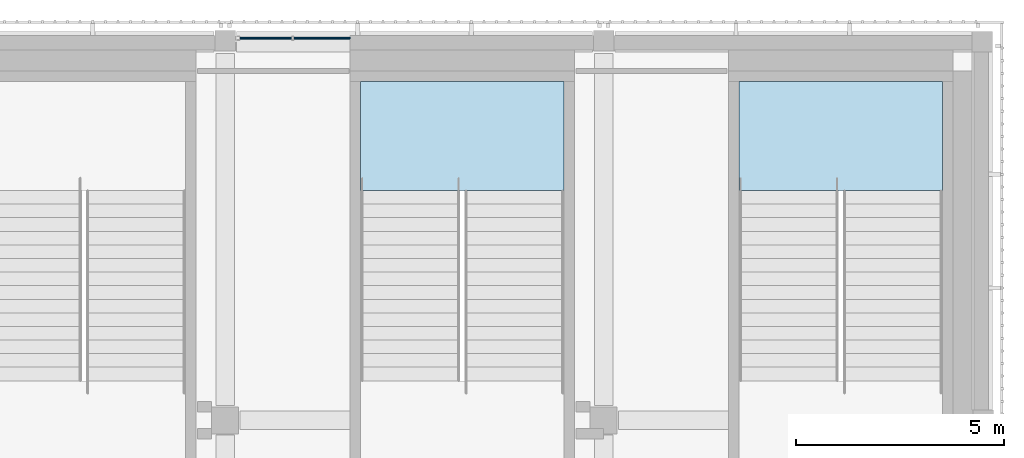
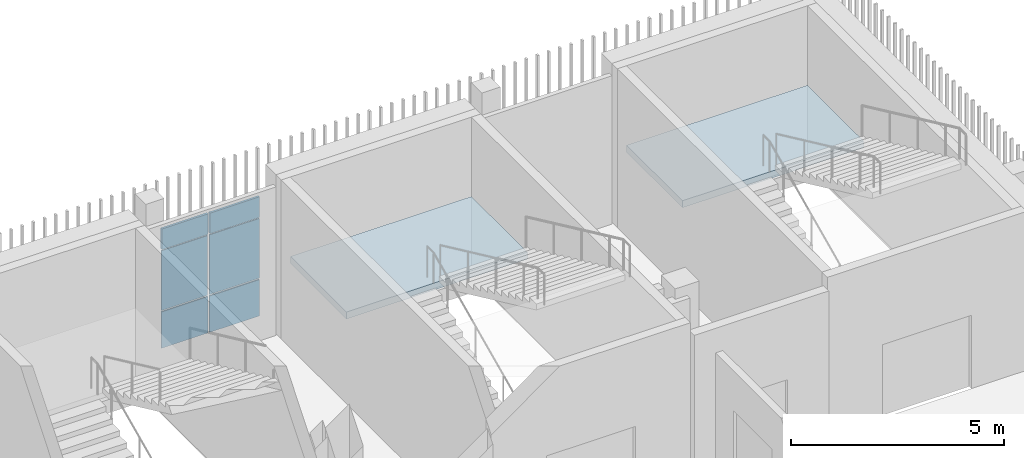
# One storey, part 52 of 104: 6 plates, 2 slabs, 3 elements without a shape of their own.
"""IFC4 building model written with IfcOpenShell, lengths in metres."""

from ifc_helpers import new_model, si_unit, direction, frame, origin, origin_2d, place, context, subcontext, project, spatial, polyline, rectangle, outline, extrude, material, layer, layer_set, type_object, element, aggregate, save


model = new_model("IFC4")

# Units and contexts
model_context = context("Model", 3, precision=1e-05, world=origin(), true_north=direction((0.0, 1.0)))
body_context = subcontext(model_context, "Body", "Model", "MODEL_VIEW")
ifc_project = project(units=[si_unit("LENGTHUNIT", "METRE"), si_unit("AREAUNIT", "SQUARE_METRE"), si_unit("VOLUMEUNIT", "CUBIC_METRE"), si_unit("PLANEANGLEUNIT", "RADIAN"), si_unit("MASSUNIT", "GRAM", prefix="KILO")], contexts=[model_context])

# Site, building, storey
site_placement = place(None, origin())
site = spatial("IfcSite", under=ifc_project, at=site_placement, CompositionType="ELEMENT")
building_placement = place(site_placement, origin())
building = spatial("IfcBuilding", under=site, at=building_placement, Name="Shirokan Park Arena", CompositionType="ELEMENT")
storey_placement = place(building_placement, frame((0.0, 0.0, 10.919921875)))
storey = spatial("IfcBuildingStorey", under=building, at=storey_placement, Name="L02", CompositionType="ELEMENT", Elevation=10.919921875)

# Curtain wall, plates
ifc_material_1 = material(Name="Steel and glass curtain wall", Category="steel")
ifc_layer_1 = layer(ifc_material_1, 0.1201171875)
ifc_layer_set_1 = layer_set([ifc_layer_1], Name="Steel and glass curtain wall 120 mm")
curtain_wall_type = type_object("IfcCurtainWallType", Name="Curtain wall corner block side bay 120", PredefinedType="NOTDEFINED", material=ifc_layer_set_1)
curtain_wall_placement = place(storey_placement, origin())
curtain_wall = element("IfcCurtainWall", 1, at=curtain_wall_placement, inside=storey, type_object=curtain_wall_type, Name="Curtain wall north bay 2 L02", PredefinedType="NOTDEFINED")
ifc_material_2 = material(Name="Aluminium sheet", Category="aluminium")
ifc_layer_2 = layer(ifc_material_2, 0.0029296875, Name="Aluminium sheet")
ifc_material_3 = material(Name="Mineral wool insulation")
ifc_layer_3 = layer(ifc_material_3, 0.053955078125, Name="Mineral wool insulation")
ifc_layer_4 = layer(ifc_material_2, 0.0029296875, Name="Aluminium sheet")
ifc_layer_set_2 = layer_set([ifc_layer_2, ifc_layer_3, ifc_layer_4], Name="Aluminium sheet + Mineral wool insulation")
plate_type_1 = type_object("IfcPlateType", Name="Insulated spandrel panel 60", PredefinedType="CURTAIN_PANEL", material=ifc_layer_set_2)
plate_1_placement = place(storey_placement, frame((129.72509765625, 109.2900390625, 2.8701171875), z_axis=(0.0, 0.0, 1.0), x_axis=(-1.0, 0.0, 0.0)))
plate_1 = element("IfcPlate", 2, at=plate_1_placement, type_object=plate_type_1, Name="CW3 panel 1.3", PredefinedType="CURTAIN_PANEL", context=body_context, shape_type="SweptSolid", body=[
    extrude(rectangle(XDim=1.35009765625, YDim=0.06005859375, at=origin_2d()), origin(), (0.0, 0.0, 1.0), 0.590087890625),
])
plate_2_placement = place(storey_placement, frame((128.375, 109.2900390625, 2.8701171875), z_axis=(0.0, 0.0, 1.0), x_axis=(-1.0, 0.0, 0.0)))
plate_2 = element("IfcPlate", 3, at=plate_2_placement, type_object=plate_type_1, Name="CW3 panel 2.3", PredefinedType="CURTAIN_PANEL", context=body_context, shape_type="SweptSolid", body=[
    extrude(rectangle(XDim=1.25, YDim=0.06005859375, at=origin_2d()), origin(), (0.0, 0.0, 1.0), 0.590087890625),
])
ifc_material_4 = material(Name="Toughened glass", Category="glass")
ifc_layer_5 = layer(ifc_material_4, 0.012939453125, Name="Toughened glass")
ifc_material_5 = material(Name="Interlayer film")
ifc_layer_6 = layer(ifc_material_5, 0.001953125, Name="Interlayer film")
ifc_layer_7 = layer(ifc_material_4, 0.012939453125, Name="Toughened glass")
ifc_layer_set_3 = layer_set([ifc_layer_5, ifc_layer_6, ifc_layer_7], Name="Toughened glass + Interlayer film")
plate_type_2 = type_object("IfcPlateType", Name="Laminated glass panel 28", PredefinedType="CURTAIN_PANEL", material=ifc_layer_set_3)
plate_3_placement = place(storey_placement, frame((129.72509765625, 109.2900390625, 1.1201171875), z_axis=(0.0, 0.0, 1.0), x_axis=(-1.0, 0.0, 0.0)))
plate_3 = element("IfcPlate", 4, at=plate_3_placement, type_object=plate_type_2, Name="CW3 panel 1.2", PredefinedType="CURTAIN_PANEL", context=body_context, shape_type="SweptSolid", body=[
    extrude(rectangle(XDim=1.35009765625, YDim=0.028076171875, at=origin_2d()), origin(), (0.0, 0.0, 1.0), 1.7099609375),
])
plate_4_placement = place(storey_placement, frame((128.375, 109.2900390625, 1.1201171875), z_axis=(0.0, 0.0, 1.0), x_axis=(-1.0, 0.0, 0.0)))
plate_4 = element("IfcPlate", 5, at=plate_4_placement, type_object=plate_type_2, Name="CW3 panel 2.2", PredefinedType="CURTAIN_PANEL", context=body_context, shape_type="SweptSolid", body=[
    extrude(rectangle(XDim=1.25, YDim=0.028076171875, at=origin_2d()), origin(), (0.0, 0.0, 1.0), 1.7099609375),
])
ifc_layer_8 = layer(ifc_material_4, 0.01708984375, Name="Toughened glass")
ifc_layer_9 = layer(ifc_material_5, 0.001953125, Name="Interlayer film")
ifc_layer_10 = layer(ifc_material_4, 0.01708984375, Name="Toughened glass")
ifc_layer_set_4 = layer_set([ifc_layer_8, ifc_layer_9, ifc_layer_10], Name="Toughened glass + Interlayer film")
plate_type_3 = type_object("IfcPlateType", Name="Laminated safety glass panel 36", PredefinedType="CURTAIN_PANEL", material=ifc_layer_set_4)
plate_5_placement = place(storey_placement, frame((129.72509765625, 109.2900390625, 0.0400390625), z_axis=(0.0, 0.0, 1.0), x_axis=(-1.0, 0.0, 0.0)))
plate_5 = element("IfcPlate", 6, at=plate_5_placement, type_object=plate_type_3, Name="CW3 panel 1.1", PredefinedType="CURTAIN_PANEL", context=body_context, shape_type="SweptSolid", body=[
    extrude(rectangle(XDim=1.35009765625, YDim=0.035888671875, at=origin_2d()), origin(), (0.0, 0.0, 1.0), 1.0400390625),
])
plate_6_placement = place(storey_placement, frame((128.375, 109.2900390625, 0.0400390625), z_axis=(0.0, 0.0, 1.0), x_axis=(-1.0, 0.0, 0.0)))
plate_6 = element("IfcPlate", 7, at=plate_6_placement, type_object=plate_type_3, Name="CW3 panel 2.1", PredefinedType="CURTAIN_PANEL", context=body_context, shape_type="SweptSolid", body=[
    extrude(rectangle(XDim=1.25, YDim=0.035888671875, at=origin_2d()), origin(), (0.0, 0.0, 1.0), 1.0400390625),
])
aggregate(curtain_wall, [plate_5, plate_3, plate_1, plate_6, plate_4, plate_2])

# Stair, slab
ifc_material_6 = material(Name="Concrete C30 precast", Category="concrete")
stair_type = type_object("IfcStairType", Name="Stair 30 risers 152 x 327 2400 wide", PredefinedType="TWO_STRAIGHT_RUN_STAIR", material=ifc_material_6)
stair_1_placement = place(storey_placement, origin())
stair_1 = element("IfcStair", 8, at=stair_1_placement, inside=storey, type_object=stair_type, Name="Exit Stair 3.A L02 to L03", PredefinedType="TWO_STRAIGHT_RUN_STAIR")
ifc_layer_11 = layer(ifc_material_6, 0.199951171875)
ifc_layer_set_5 = layer_set([ifc_layer_11], Name="Concrete C30 precast 200 mm")
slab_type = type_object("IfcSlabType", Name="Stair landing 200", PredefinedType="LANDING", material=ifc_layer_set_5)
slab_1_placement = place(storey_placement, frame((0.0, 0.0, 2.0751953125)))
slab_1 = element("IfcSlab", 9, at=slab_1_placement, type_object=slab_type, Name="ST16.3 landing 1", PredefinedType="LANDING", context=body_context, shape_type="SweptSolid", body=[
    extrude(outline(polyline([(139.75, 105.623779296875), (144.64990234375, 105.623779296875), (144.64990234375, 108.25), (139.75, 108.25), (139.75, 105.623779296875)])), origin(), (0.0, 0.0, 1.0), 0.199951171875),
])
aggregate(stair_1, [slab_1])

stair_2_placement = place(storey_placement, origin())
stair_2 = element("IfcStair", 10, at=stair_2_placement, inside=storey, type_object=stair_type, Name="Exit Stair 3.B L02 to L03", PredefinedType="TWO_STRAIGHT_RUN_STAIR")
slab_2_placement = place(storey_placement, frame((0.0, 0.0, 2.0751953125)))
slab_2 = element("IfcSlab", 11, at=slab_2_placement, type_object=slab_type, Name="ST17.3 landing 1", PredefinedType="LANDING", context=body_context, shape_type="SweptSolid", body=[
    extrude(outline(polyline([(130.64990234375, 105.623779296875), (135.550048828125, 105.623779296875), (135.550048828125, 108.25), (130.64990234375, 108.25), (130.64990234375, 105.623779296875)])), origin(), (0.0, 0.0, 1.0), 0.199951171875),
])
aggregate(stair_2, [slab_2])

save(model, "model.ifc")
